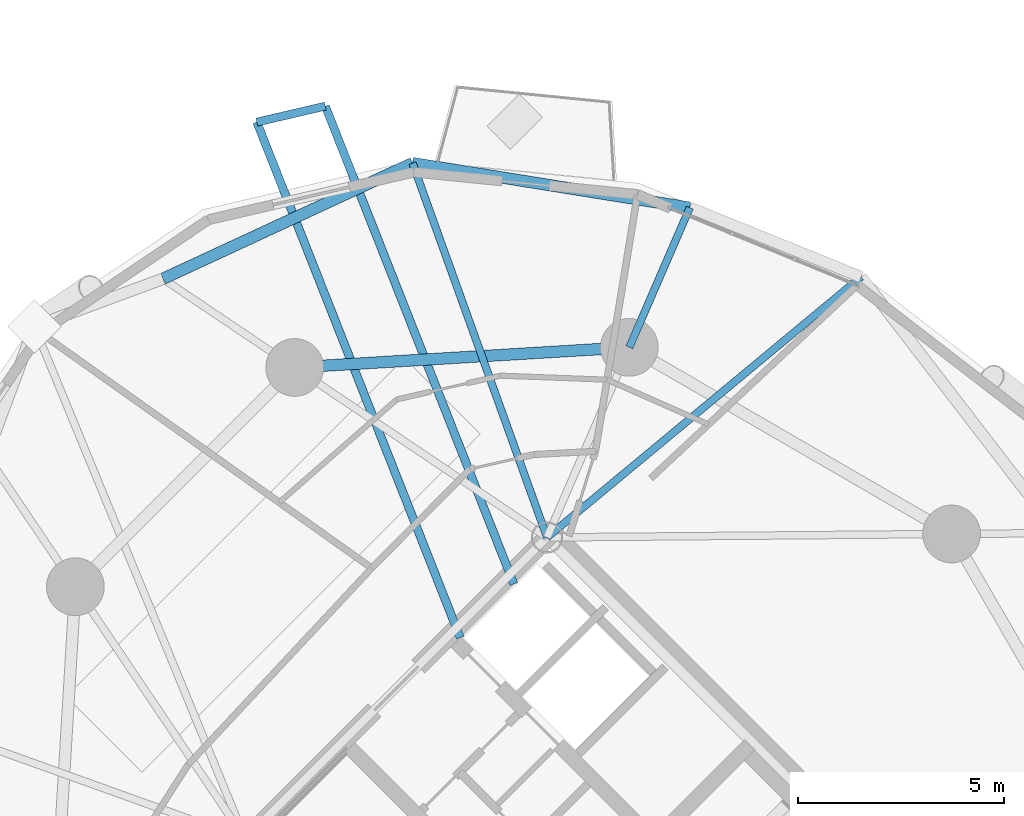
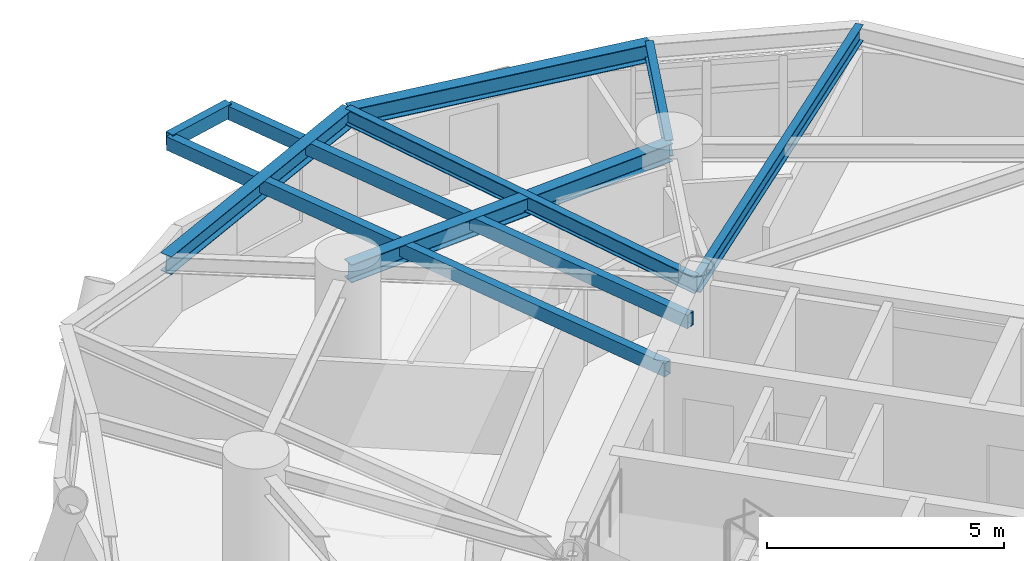
# One storey, part 6 of 18: 9 beams.
"""IFC4 building model written with IfcOpenShell, lengths in metres."""

from ifc_helpers import new_model, si_unit, direction, frame, origin, origin_2d, place, context, subcontext, project, spatial, hollow_rectangle, i_section, extrude, material, material_profile, profile_set, type_object, element, save


model = new_model("IFC4")

# Units and contexts
model_context = context("Model", 3, precision=1e-05, world=origin(), true_north=direction((0.0, 1.0)))
body_context = subcontext(model_context, "Body", "Model", "MODEL_VIEW")
ifc_project = project(units=[si_unit("LENGTHUNIT", "METRE"), si_unit("AREAUNIT", "SQUARE_METRE"), si_unit("VOLUMEUNIT", "CUBIC_METRE"), si_unit("PLANEANGLEUNIT", "RADIAN"), si_unit("MASSUNIT", "GRAM", prefix="KILO")], contexts=[model_context])

# Site, building, storey
site_placement = place(None, origin())
site = spatial("IfcSite", under=ifc_project, at=site_placement, CompositionType="ELEMENT")
building_placement = place(site_placement, origin())
building = spatial("IfcBuilding", under=site, at=building_placement, Name="Cununo Teusaquillo Station Towers", CompositionType="ELEMENT")
storey_placement = place(building_placement, frame((0.0, 0.0, 110.889892578125)))
storey = spatial("IfcBuildingStorey", under=building, at=storey_placement, Name="L35", CompositionType="ELEMENT", Elevation=110.889892578125)

# Beams
ifc_material_1 = material(Name="Steel EN 10025-2 S355J2", Category="steel")
ifc_material_profile_1 = material_profile(ifc_material_1, hollow_rectangle(XDim=0.199951171875, YDim=0.35009765625, WallThickness=0.013916015625, at=origin_2d()), Name="RHS 350x200x14")
ifc_profile_set_1 = profile_set([ifc_material_profile_1], Name="Steel EN 10025-2 S355J2")
beam_type_1 = type_object("IfcBeamType", Name="BM-BAL-CANT", PredefinedType="BEAM", material=ifc_profile_set_1)
beam_1_placement = place(storey_placement, frame((55.48974609375, 31.894287109375, 2.4951171875), z_axis=(-0.367001462432, 0.930220364523, 0.0), x_axis=(-0.930220364523, -0.367001462432, 0.0)))
element("IfcBeam", 1, at=beam_1_placement, inside=storey, type_object=beam_type_1, Name="L35 Tower B Balcony Cantilever Bracket 1A", PredefinedType="BEAM", context=body_context, shape_type="SweptSolid", body=[
    extrude(hollow_rectangle(XDim=0.199951171875, YDim=0.35009765625, WallThickness=0.013916015625, at=origin_2d()), origin(), (0.0, 0.0, 1.0), 12.459716796875),
])
beam_2_placement = place(storey_placement, frame((54.188720703125, 30.593505859375, 2.4951171875), z_axis=(-0.367008555132, 0.930217566196, 0.0), x_axis=(-0.930217566196, -0.367008555132, 0.0)))
element("IfcBeam", 2, at=beam_2_placement, inside=storey, type_object=beam_type_1, Name="L35 Tower B Balcony Cantilever Bracket 1B", PredefinedType="BEAM", context=body_context, shape_type="SweptSolid", body=[
    extrude(hollow_rectangle(XDim=0.199951171875, YDim=0.35009765625, WallThickness=0.013916015625, at=origin_2d()), origin(), (0.0, 0.0, 1.0), 13.44140625),
])
ifc_material_2 = material(Name="Steel ASTM A572 Grade 50", Category="steel")
ifc_material_profile_2 = material_profile(ifc_material_2, i_section(OverallWidth=0.180908203125, OverallDepth=0.4169921875, WebThickness=0.010986328125, FlangeThickness=0.018310546875, FilletRadius=0.012939453125, at=origin_2d()), Name="W16X57")
ifc_profile_set_2 = profile_set([ifc_material_profile_2], Name="Steel ASTM A572 Grade 50")
beam_type_2 = type_object("IfcBeamType", Name="BM-JOIST-1", PredefinedType="JOIST", material=ifc_profile_set_2)
beam_3_placement = place(storey_placement, frame((56.29443359375, 33.024169921875, 2.461669921875), z_axis=(0.769727799615, 0.638372238196, 0.0), x_axis=(-0.638372238196, 0.769727799615, 0.0)))
element("IfcBeam", 3, at=beam_3_placement, inside=storey, type_object=beam_type_2, Name="L35 Tower B Radial Spandrel Joist V01", PredefinedType="JOIST", context=body_context, shape_type="SweptSolid", body=[
    extrude(i_section(OverallWidth=0.180908203125, OverallDepth=0.4169921875, WebThickness=0.010986328125, FlangeThickness=0.018310546875, FilletRadius=0.012939453125, at=origin_2d()), origin(), (0.0, 0.0, 1.0), 9.895263671875),
])
beam_4_placement = place(storey_placement, frame((56.29443359375, 33.024169921875, 2.461669921875), z_axis=(-0.338176312038, 0.941082771055, 0.0), x_axis=(-0.941082771055, -0.338176312038, 0.0)))
element("IfcBeam", 4, at=beam_4_placement, inside=storey, type_object=beam_type_2, Name="L35 Tower B Radial Spandrel Joist V03", PredefinedType="JOIST", context=body_context, shape_type="SweptSolid", body=[
    extrude(i_section(OverallWidth=0.180908203125, OverallDepth=0.4169921875, WebThickness=0.010986328125, FlangeThickness=0.018310546875, FilletRadius=0.012939453125, at=origin_2d()), origin(), (0.0, 0.0, 1.0), 9.646484375),
])
ifc_material_3 = material(Name="Steel ASTM A572 Grade 50", Category="steel")
ifc_material_profile_3 = material_profile(ifc_material_3, i_section(OverallWidth=0.180908203125, OverallDepth=0.4169921875, WebThickness=0.010986328125, FlangeThickness=0.018310546875, FilletRadius=0.012939453125, at=origin_2d()), Name="W16X57")
ifc_profile_set_3 = profile_set([ifc_material_profile_3], Name="Steel ASTM A572 Grade 50")
beam_type_3 = type_object("IfcBeamType", Name="BM-RAD-G2", PredefinedType="BEAM", material=ifc_profile_set_3)
beam_5_placement = place(storey_placement, frame((58.291015625, 37.63525390625, 2.461669921875), z_axis=(0.397421761279, 0.917636062751, 0.0), x_axis=(-0.917636062751, 0.397421761279, 0.0)))
element("IfcBeam", 5, at=beam_5_placement, inside=storey, type_object=beam_type_3, Name="L35 Tower B Perimeter Overhang Girder 02B", PredefinedType="BEAM", context=body_context, shape_type="SweptSolid", body=[
    extrude(i_section(OverallWidth=0.180908203125, OverallDepth=0.4169921875, WebThickness=0.010986328125, FlangeThickness=0.018310546875, FilletRadius=0.012939453125, at=origin_2d()), origin(), (0.0, 0.0, 1.0), 3.690185546875),
])
ifc_material_4 = material(Name="Steel ASTM A572 Grade 50", Category="steel")
ifc_material_profile_4 = material_profile(ifc_material_4, i_section(OverallWidth=0.280029296875, OverallDepth=0.462890625, WebThickness=0.0107421875, FlangeThickness=0.017333984375, FilletRadius=0.013916015625, at=origin_2d()), Name="W18X76")
ifc_profile_set_4 = profile_set([ifc_material_profile_4], Name="Steel ASTM A572 Grade 50")
beam_type_4 = type_object("IfcBeamType", Name="BM-RING-Z2", PredefinedType="SPANDREL", material=ifc_profile_set_4)
beam_6_placement = place(storey_placement, frame((58.291015625, 37.63525390625, 2.438720703125), z_axis=(-0.998190567048, -0.06012979176, 0.0), x_axis=(0.06012979176, -0.998190567048, 0.0)))
element("IfcBeam", 6, at=beam_6_placement, inside=storey, type_object=beam_type_4, Name="L35 Tower B Structural Column Ring Girder 02", PredefinedType="SPANDREL", context=body_context, shape_type="SweptSolid", body=[
    extrude(i_section(OverallWidth=0.280029296875, OverallDepth=0.462890625, WebThickness=0.0107421875, FlangeThickness=0.017333984375, FilletRadius=0.013916015625, at=origin_2d()), origin(), (0.0, 0.0, 1.0), 8.132568359375),
])
beam_7_placement = place(storey_placement, frame((59.757568359375, 41.021484375, 2.438720703125), z_axis=(-0.987331474246, 0.158671232312, 0.0), x_axis=(-0.158671232312, -0.987331474246, 0.0)))
element("IfcBeam", 7, at=beam_7_placement, inside=storey, type_object=beam_type_4, Name="L35 Tower B Spandrel Ring Beam 03", PredefinedType="SPANDREL", context=body_context, shape_type="SweptSolid", body=[
    extrude(i_section(OverallWidth=0.280029296875, OverallDepth=0.462890625, WebThickness=0.0107421875, FlangeThickness=0.017333984375, FilletRadius=0.013916015625, at=origin_2d()), origin(), (0.0, 0.0, 1.0), 6.8115234375),
])
beam_8_placement = place(storey_placement, frame((53.0322265625, 42.102294921875, 2.438720703125), z_axis=(-0.907275870354, -0.420535961689, 0.0), x_axis=(0.420535961689, -0.907275870354, 0.0)))
element("IfcBeam", 8, at=beam_8_placement, inside=storey, type_object=beam_type_4, Name="L35 Tower B Spandrel Ring Beam 04", PredefinedType="SPANDREL", context=body_context, shape_type="SweptSolid", body=[
    extrude(i_section(OverallWidth=0.280029296875, OverallDepth=0.462890625, WebThickness=0.0107421875, FlangeThickness=0.017333984375, FilletRadius=0.013916015625, at=origin_2d()), origin(), (0.0, 0.0, 1.0), 6.671142578125),
])
ifc_material_5 = material(Name="Steel EN 10025-2 S355J2", Category="steel")
ifc_material_profile_5 = material_profile(ifc_material_5, hollow_rectangle(XDim=0.199951171875, YDim=0.35009765625, WallThickness=0.013916015625, at=origin_2d()), Name="RHS 350x200x14")
ifc_profile_set_5 = profile_set([ifc_material_profile_5], Name="Steel EN 10025-2 S355J2")
beam_type_5 = type_object("IfcBeamType", Name="BM-STAIR-TRIM", PredefinedType="BEAM", material=ifc_profile_set_5)
beam_9_placement = place(storey_placement, frame((50.9169921875, 43.484619140625, 2.525146484375), z_axis=(-0.973835931599, -0.22725223503, 0.0), x_axis=(0.22725223503, -0.973835931599, 0.0)))
element("IfcBeam", 9, at=beam_9_placement, inside=storey, type_object=beam_type_5, Name="L35 Tower B Balcony Edge Trimmer Beam 1", PredefinedType="BEAM", context=body_context, shape_type="SweptSolid", body=[
    extrude(hollow_rectangle(XDim=0.199951171875, YDim=0.35009765625, WallThickness=0.013916015625, at=origin_2d()), origin(), (0.0, 0.0, 1.0), 1.7060546875),
])

save(model, "model.ifc")
